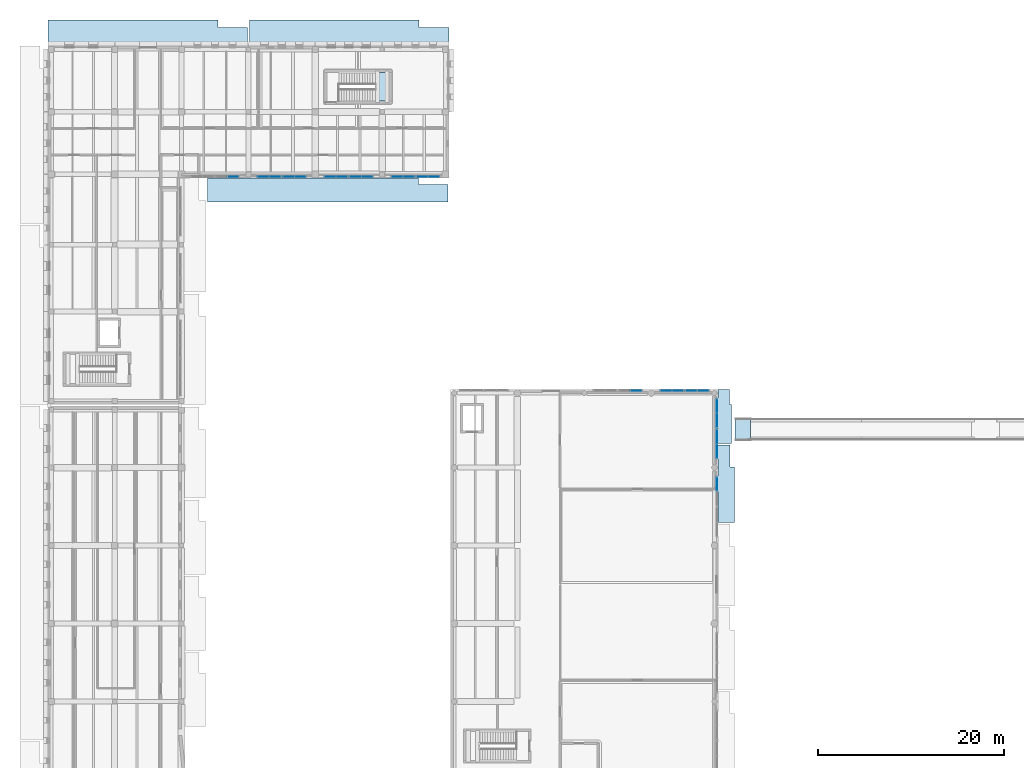
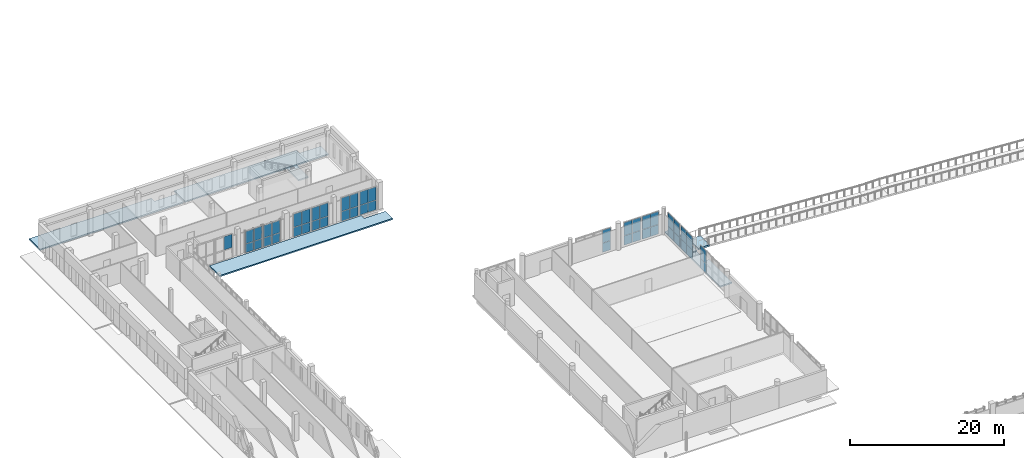
# One storey, part 43 of 77: 45 plates, 7 slabs, 14 elements without a shape of their own.
"""IFC4 building model written with IfcOpenShell, lengths in metres."""

from ifc_helpers import new_model, si_unit, direction, frame, origin, origin_2d, place, context, subcontext, project, spatial, polyline, rectangle, outline, extrude, material, layer, layer_set, type_object, element, aggregate, save


model = new_model("IFC4")

# Units and contexts
model_context = context("Model", 3, precision=1e-05, world=origin(), true_north=direction((0.0, 1.0)))
body_context = subcontext(model_context, "Body", "Model", "MODEL_VIEW")
ifc_project = project(units=[si_unit("LENGTHUNIT", "METRE"), si_unit("AREAUNIT", "SQUARE_METRE"), si_unit("VOLUMEUNIT", "CUBIC_METRE"), si_unit("PLANEANGLEUNIT", "RADIAN"), si_unit("MASSUNIT", "GRAM", prefix="KILO")], contexts=[model_context])

# Site, building, storey
site_placement = place(None, origin())
site = spatial("IfcSite", under=ifc_project, at=site_placement, CompositionType="ELEMENT")
building_placement = place(site_placement, origin())
building = spatial("IfcBuilding", under=site, at=building_placement, Name="Vardoun Plaza Health Centre", CompositionType="ELEMENT")
storey_placement = place(building_placement, origin())
storey = spatial("IfcBuildingStorey", under=building, at=storey_placement, Name="L00", CompositionType="ELEMENT", Elevation=0.0)

# Curtain wall, plates
ifc_material_1 = material(Name="Aluminium Alloy EN AW-6063-T6 and Low-E Glass", Category="aluminium")
ifc_layer_1 = layer(ifc_material_1, 0.159912109375)
ifc_layer_set_1 = layer_set([ifc_layer_1], Name="Aluminium Alloy EN AW-6063-T6 and Low-E Glass")
curtain_wall_type_1 = type_object("IfcCurtainWallType", Name="CW-02", PredefinedType="USERDEFINED", material=ifc_layer_set_1)
curtain_wall_1_placement = place(storey_placement, origin())
curtain_wall_1 = element("IfcCurtainWall", 1, at=curtain_wall_1_placement, inside=storey, type_object=curtain_wall_type_1, Name="Curtain Wall CW-V3-045", ObjectType="COURTYARD_CURTAIN_WALL", PredefinedType="USERDEFINED")
ifc_material_2 = material(Name="Solar-Control Double Low-E Glazing", Category="glass")
ifc_layer_2 = layer(ifc_material_2, 0.028076171875)
ifc_layer_set_2 = layer_set([ifc_layer_2], Name="Solar-Control Double Low-E Glazing")
plate_type_1 = type_object("IfcPlateType", Name="CW-P1", PredefinedType="CURTAIN_PANEL", material=ifc_layer_set_2)
plate_1_placement = place(storey_placement, frame((46.0849609375, 101.219970703125, 0.06005859375), z_axis=(0.0, 0.0, 1.0), x_axis=(-1.0, 0.0, 0.0)))
plate_1 = element("IfcPlate", 2, at=plate_1_placement, type_object=plate_type_1, Name="CW-V3-045 panel 1.1", PredefinedType="CURTAIN_PANEL", context=body_context, shape_type="SweptSolid", body=[
    extrude(rectangle(XDim=1.18994140625, YDim=0.028076171875, at=origin_2d()), origin(), (0.0, 0.0, 1.0), 1.493408203125),
])
plate_2_placement = place(storey_placement, frame((46.0849609375, 101.219970703125, 1.61328125), z_axis=(0.0, 0.0, 1.0), x_axis=(-1.0, 0.0, 0.0)))
plate_2 = element("IfcPlate", 3, at=plate_2_placement, type_object=plate_type_1, Name="CW-V3-045 panel 1.2", PredefinedType="CURTAIN_PANEL", context=body_context, shape_type="SweptSolid", body=[
    extrude(rectangle(XDim=1.18994140625, YDim=0.028076171875, at=origin_2d()), origin(), (0.0, 0.0, 1.0), 2.0966796875),
])
plate_3_placement = place(storey_placement, frame((44.8349609375, 101.219970703125, 0.06005859375), z_axis=(0.0, 0.0, 1.0), x_axis=(-1.0, 0.0, 0.0)))
plate_3 = element("IfcPlate", 4, at=plate_3_placement, type_object=plate_type_1, Name="CW-V3-045 panel 2.1", PredefinedType="CURTAIN_PANEL", context=body_context, shape_type="SweptSolid", body=[
    extrude(rectangle(XDim=1.18994140625, YDim=0.028076171875, at=origin_2d()), origin(), (0.0, 0.0, 1.0), 1.493408203125),
])
plate_4_placement = place(storey_placement, frame((44.8349609375, 101.219970703125, 1.61328125), z_axis=(0.0, 0.0, 1.0), x_axis=(-1.0, 0.0, 0.0)))
plate_4 = element("IfcPlate", 5, at=plate_4_placement, type_object=plate_type_1, Name="CW-V3-045 panel 2.2", PredefinedType="CURTAIN_PANEL", context=body_context, shape_type="SweptSolid", body=[
    extrude(rectangle(XDim=1.18994140625, YDim=0.028076171875, at=origin_2d()), origin(), (0.0, 0.0, 1.0), 2.0966796875),
])
aggregate(curtain_wall_1, [plate_1, plate_2, plate_3, plate_4])

curtain_wall_2_placement = place(storey_placement, origin())
curtain_wall_2 = element("IfcCurtainWall", 6, at=curtain_wall_2_placement, inside=storey, type_object=curtain_wall_type_1, Name="Curtain Wall CW-V3-046", ObjectType="COURTYARD_CURTAIN_WALL", PredefinedType="USERDEFINED")
plate_5_placement = place(storey_placement, frame((43.364990234375, 101.219970703125, 0.06005859375), z_axis=(0.0, 0.0, 1.0), x_axis=(-1.0, 0.0, 0.0)))
plate_5 = element("IfcPlate", 7, at=plate_5_placement, type_object=plate_type_1, Name="CW-V3-046 panel 1.1", PredefinedType="CURTAIN_PANEL", context=body_context, shape_type="SweptSolid", body=[
    extrude(rectangle(XDim=1.18994140625, YDim=0.028076171875, at=origin_2d()), origin(), (0.0, 0.0, 1.0), 1.493408203125),
])
plate_6_placement = place(storey_placement, frame((43.364990234375, 101.219970703125, 1.61328125), z_axis=(0.0, 0.0, 1.0), x_axis=(-1.0, 0.0, 0.0)))
plate_6 = element("IfcPlate", 8, at=plate_6_placement, type_object=plate_type_1, Name="CW-V3-046 panel 1.2", PredefinedType="CURTAIN_PANEL", context=body_context, shape_type="SweptSolid", body=[
    extrude(rectangle(XDim=1.18994140625, YDim=0.028076171875, at=origin_2d()), origin(), (0.0, 0.0, 1.0), 2.0966796875),
])
plate_7_placement = place(storey_placement, frame((42.114990234375, 101.219970703125, 0.06005859375), z_axis=(0.0, 0.0, 1.0), x_axis=(-1.0, 0.0, 0.0)))
plate_7 = element("IfcPlate", 9, at=plate_7_placement, type_object=plate_type_1, Name="CW-V3-046 panel 2.1", PredefinedType="CURTAIN_PANEL", context=body_context, shape_type="SweptSolid", body=[
    extrude(rectangle(XDim=1.18994140625, YDim=0.028076171875, at=origin_2d()), origin(), (0.0, 0.0, 1.0), 1.493408203125),
])
plate_8_placement = place(storey_placement, frame((42.114990234375, 101.219970703125, 1.61328125), z_axis=(0.0, 0.0, 1.0), x_axis=(-1.0, 0.0, 0.0)))
plate_8 = element("IfcPlate", 10, at=plate_8_placement, type_object=plate_type_1, Name="CW-V3-046 panel 2.2", PredefinedType="CURTAIN_PANEL", context=body_context, shape_type="SweptSolid", body=[
    extrude(rectangle(XDim=1.18994140625, YDim=0.028076171875, at=origin_2d()), origin(), (0.0, 0.0, 1.0), 2.0966796875),
])
aggregate(curtain_wall_2, [plate_5, plate_6, plate_7, plate_8])

curtain_wall_3_placement = place(storey_placement, origin())
curtain_wall_3 = element("IfcCurtainWall", 11, at=curtain_wall_3_placement, inside=storey, type_object=curtain_wall_type_1, Name="Curtain Wall CW-V3-047", ObjectType="COURTYARD_CURTAIN_WALL", PredefinedType="USERDEFINED")
plate_9_placement = place(storey_placement, frame((38.885009765625, 101.219970703125, 0.06005859375), z_axis=(0.0, 0.0, 1.0), x_axis=(-1.0, 0.0, 0.0)))
plate_9 = element("IfcPlate", 12, at=plate_9_placement, type_object=plate_type_1, Name="CW-V3-047 panel 1.1", PredefinedType="CURTAIN_PANEL", context=body_context, shape_type="SweptSolid", body=[
    extrude(rectangle(XDim=1.18994140625, YDim=0.028076171875, at=origin_2d()), origin(), (0.0, 0.0, 1.0), 1.480712890625),
])
plate_10_placement = place(storey_placement, frame((38.885009765625, 101.219970703125, 1.600830078125), z_axis=(0.0, 0.0, 1.0), x_axis=(-1.0, 0.0, 0.0)))
plate_10 = element("IfcPlate", 13, at=plate_10_placement, type_object=plate_type_1, Name="CW-V3-047 panel 1.2", PredefinedType="CURTAIN_PANEL", context=body_context, shape_type="SweptSolid", body=[
    extrude(rectangle(XDim=1.18994140625, YDim=0.028076171875, at=origin_2d()), origin(), (0.0, 0.0, 1.0), 2.0791015625),
])
plate_11_placement = place(storey_placement, frame((37.635009765625, 101.219970703125, 0.06005859375), z_axis=(0.0, 0.0, 1.0), x_axis=(-1.0, 0.0, 0.0)))
plate_11 = element("IfcPlate", 14, at=plate_11_placement, type_object=plate_type_1, Name="CW-V3-047 panel 2.1", PredefinedType="CURTAIN_PANEL", context=body_context, shape_type="SweptSolid", body=[
    extrude(rectangle(XDim=1.18994140625, YDim=0.028076171875, at=origin_2d()), origin(), (0.0, 0.0, 1.0), 1.480712890625),
])
plate_12_placement = place(storey_placement, frame((37.635009765625, 101.219970703125, 1.600830078125), z_axis=(0.0, 0.0, 1.0), x_axis=(-1.0, 0.0, 0.0)))
plate_12 = element("IfcPlate", 15, at=plate_12_placement, type_object=plate_type_1, Name="CW-V3-047 panel 2.2", PredefinedType="CURTAIN_PANEL", context=body_context, shape_type="SweptSolid", body=[
    extrude(rectangle(XDim=1.18994140625, YDim=0.028076171875, at=origin_2d()), origin(), (0.0, 0.0, 1.0), 2.0791015625),
])
aggregate(curtain_wall_3, [plate_9, plate_10, plate_11, plate_12])

curtain_wall_4_placement = place(storey_placement, origin())
curtain_wall_4 = element("IfcCurtainWall", 16, at=curtain_wall_4_placement, inside=storey, type_object=curtain_wall_type_1, Name="Curtain Wall CW-V3-048", ObjectType="COURTYARD_CURTAIN_WALL", PredefinedType="USERDEFINED")
plate_13_placement = place(storey_placement, frame((36.1650390625, 101.219970703125, 0.06005859375), z_axis=(0.0, 0.0, 1.0), x_axis=(-1.0, 0.0, 0.0)))
plate_13 = element("IfcPlate", 17, at=plate_13_placement, type_object=plate_type_1, Name="CW-V3-048 panel 1.1", PredefinedType="CURTAIN_PANEL", context=body_context, shape_type="SweptSolid", body=[
    extrude(rectangle(XDim=1.18994140625, YDim=0.028076171875, at=origin_2d()), origin(), (0.0, 0.0, 1.0), 1.480712890625),
])
plate_14_placement = place(storey_placement, frame((36.1650390625, 101.219970703125, 1.600830078125), z_axis=(0.0, 0.0, 1.0), x_axis=(-1.0, 0.0, 0.0)))
plate_14 = element("IfcPlate", 18, at=plate_14_placement, type_object=plate_type_1, Name="CW-V3-048 panel 1.2", PredefinedType="CURTAIN_PANEL", context=body_context, shape_type="SweptSolid", body=[
    extrude(rectangle(XDim=1.18994140625, YDim=0.028076171875, at=origin_2d()), origin(), (0.0, 0.0, 1.0), 2.0791015625),
])
plate_15_placement = place(storey_placement, frame((34.9150390625, 101.219970703125, 0.06005859375), z_axis=(0.0, 0.0, 1.0), x_axis=(-1.0, 0.0, 0.0)))
plate_15 = element("IfcPlate", 19, at=plate_15_placement, type_object=plate_type_1, Name="CW-V3-048 panel 2.1", PredefinedType="CURTAIN_PANEL", context=body_context, shape_type="SweptSolid", body=[
    extrude(rectangle(XDim=1.18994140625, YDim=0.028076171875, at=origin_2d()), origin(), (0.0, 0.0, 1.0), 1.480712890625),
])
plate_16_placement = place(storey_placement, frame((34.9150390625, 101.219970703125, 1.600830078125), z_axis=(0.0, 0.0, 1.0), x_axis=(-1.0, 0.0, 0.0)))
plate_16 = element("IfcPlate", 20, at=plate_16_placement, type_object=plate_type_1, Name="CW-V3-048 panel 2.2", PredefinedType="CURTAIN_PANEL", context=body_context, shape_type="SweptSolid", body=[
    extrude(rectangle(XDim=1.18994140625, YDim=0.028076171875, at=origin_2d()), origin(), (0.0, 0.0, 1.0), 2.0791015625),
])
aggregate(curtain_wall_4, [plate_13, plate_14, plate_15, plate_16])

curtain_wall_5_placement = place(storey_placement, origin())
curtain_wall_5 = element("IfcCurtainWall", 21, at=curtain_wall_5_placement, inside=storey, type_object=curtain_wall_type_1, Name="Curtain Wall CW-V3-049", ObjectType="COURTYARD_CURTAIN_WALL", PredefinedType="USERDEFINED")
plate_17_placement = place(storey_placement, frame((31.68505859375, 101.219970703125, 0.06005859375), z_axis=(0.0, 0.0, 1.0), x_axis=(-1.0, 0.0, 0.0)))
plate_17 = element("IfcPlate", 22, at=plate_17_placement, type_object=plate_type_1, Name="CW-V3-049 panel 1.1", PredefinedType="CURTAIN_PANEL", context=body_context, shape_type="SweptSolid", body=[
    extrude(rectangle(XDim=1.18994140625, YDim=0.028076171875, at=origin_2d()), origin(), (0.0, 0.0, 1.0), 1.3798828125),
])
plate_18_placement = place(storey_placement, frame((31.68505859375, 101.219970703125, 1.5), z_axis=(0.0, 0.0, 1.0), x_axis=(-1.0, 0.0, 0.0)))
plate_18 = element("IfcPlate", 23, at=plate_18_placement, type_object=plate_type_1, Name="CW-V3-049 panel 1.2", PredefinedType="CURTAIN_PANEL", context=body_context, shape_type="SweptSolid", body=[
    extrude(rectangle(XDim=1.18994140625, YDim=0.028076171875, at=origin_2d()), origin(), (0.0, 0.0, 1.0), 1.93994140625),
])
plate_19_placement = place(storey_placement, frame((30.43505859375, 101.219970703125, 0.06005859375), z_axis=(0.0, 0.0, 1.0), x_axis=(-1.0, 0.0, 0.0)))
plate_19 = element("IfcPlate", 24, at=plate_19_placement, type_object=plate_type_1, Name="CW-V3-049 panel 2.1", PredefinedType="CURTAIN_PANEL", context=body_context, shape_type="SweptSolid", body=[
    extrude(rectangle(XDim=1.18994140625, YDim=0.028076171875, at=origin_2d()), origin(), (0.0, 0.0, 1.0), 1.3798828125),
])
plate_20_placement = place(storey_placement, frame((30.43505859375, 101.219970703125, 1.5), z_axis=(0.0, 0.0, 1.0), x_axis=(-1.0, 0.0, 0.0)))
plate_20 = element("IfcPlate", 25, at=plate_20_placement, type_object=plate_type_1, Name="CW-V3-049 panel 2.2", PredefinedType="CURTAIN_PANEL", context=body_context, shape_type="SweptSolid", body=[
    extrude(rectangle(XDim=1.18994140625, YDim=0.028076171875, at=origin_2d()), origin(), (0.0, 0.0, 1.0), 1.93994140625),
])
aggregate(curtain_wall_5, [plate_17, plate_18, plate_19, plate_20])

curtain_wall_6_placement = place(storey_placement, origin())
curtain_wall_6 = element("IfcCurtainWall", 26, at=curtain_wall_6_placement, inside=storey, type_object=curtain_wall_type_1, Name="Curtain Wall CW-V3-050", ObjectType="COURTYARD_CURTAIN_WALL", PredefinedType="USERDEFINED")
plate_21_placement = place(storey_placement, frame((28.965087890625, 101.219970703125, 0.06005859375), z_axis=(0.0, 0.0, 1.0), x_axis=(-1.0, 0.0, 0.0)))
plate_21 = element("IfcPlate", 27, at=plate_21_placement, type_object=plate_type_1, Name="CW-V3-050 panel 1.1", PredefinedType="CURTAIN_PANEL", context=body_context, shape_type="SweptSolid", body=[
    extrude(rectangle(XDim=1.18994140625, YDim=0.028076171875, at=origin_2d()), origin(), (0.0, 0.0, 1.0), 1.3798828125),
])
plate_22_placement = place(storey_placement, frame((28.965087890625, 101.219970703125, 1.5), z_axis=(0.0, 0.0, 1.0), x_axis=(-1.0, 0.0, 0.0)))
plate_22 = element("IfcPlate", 28, at=plate_22_placement, type_object=plate_type_1, Name="CW-V3-050 panel 1.2", PredefinedType="CURTAIN_PANEL", context=body_context, shape_type="SweptSolid", body=[
    extrude(rectangle(XDim=1.18994140625, YDim=0.028076171875, at=origin_2d()), origin(), (0.0, 0.0, 1.0), 1.93994140625),
])
plate_23_placement = place(storey_placement, frame((27.715087890625, 101.219970703125, 0.06005859375), z_axis=(0.0, 0.0, 1.0), x_axis=(-1.0, 0.0, 0.0)))
plate_23 = element("IfcPlate", 29, at=plate_23_placement, type_object=plate_type_1, Name="CW-V3-050 panel 2.1", PredefinedType="CURTAIN_PANEL", context=body_context, shape_type="SweptSolid", body=[
    extrude(rectangle(XDim=1.18994140625, YDim=0.028076171875, at=origin_2d()), origin(), (0.0, 0.0, 1.0), 1.3798828125),
])
plate_24_placement = place(storey_placement, frame((27.715087890625, 101.219970703125, 1.5), z_axis=(0.0, 0.0, 1.0), x_axis=(-1.0, 0.0, 0.0)))
plate_24 = element("IfcPlate", 30, at=plate_24_placement, type_object=plate_type_1, Name="CW-V3-050 panel 2.2", PredefinedType="CURTAIN_PANEL", context=body_context, shape_type="SweptSolid", body=[
    extrude(rectangle(XDim=1.18994140625, YDim=0.028076171875, at=origin_2d()), origin(), (0.0, 0.0, 1.0), 1.93994140625),
])
aggregate(curtain_wall_6, [plate_21, plate_22, plate_23, plate_24])

# Curtain wall, plate
curtain_wall_7_placement = place(storey_placement, origin())
curtain_wall_7 = element("IfcCurtainWall", 31, at=curtain_wall_7_placement, inside=storey, type_object=curtain_wall_type_1, Name="Curtain Wall CW-V3-051", ObjectType="COURTYARD_CURTAIN_WALL", PredefinedType="USERDEFINED")
plate_25_placement = place(storey_placement, frame((24.485107421875, 101.219970703125, 1.634521484375), z_axis=(0.0, 0.0, 1.0), x_axis=(-1.0, 0.0, 0.0)))
plate_25 = element("IfcPlate", 32, at=plate_25_placement, type_object=plate_type_1, Name="CW-V3-051 panel 1.2", PredefinedType="CURTAIN_PANEL", context=body_context, shape_type="SweptSolid", body=[
    extrude(rectangle(XDim=1.18994140625, YDim=0.028076171875, at=origin_2d()), origin(), (0.0, 0.0, 1.0), 2.12548828125),
])
aggregate(curtain_wall_7, [plate_25])

# Curtain wall, plates
ifc_material_3 = material(Name="Aluminium Alloy EN AW-6063-T6 and Low-E Glass", Category="aluminium")
ifc_layer_3 = layer(ifc_material_3, 0.179931640625)
ifc_layer_set_3 = layer_set([ifc_layer_3], Name="Aluminium Alloy EN AW-6063-T6 and Low-E Glass")
curtain_wall_type_2 = type_object("IfcCurtainWallType", Name="CW-01", PredefinedType="USERDEFINED", material=ifc_layer_set_3)
curtain_wall_8_placement = place(storey_placement, origin())
curtain_wall_8 = element("IfcCurtainWall", 33, at=curtain_wall_8_placement, inside=storey, type_object=curtain_wall_type_2, Name="Curtain Wall CW-V1-004", ObjectType="CONCOURSE_CURTAIN_WALL", PredefinedType="USERDEFINED")
ifc_material_4 = material(Name="Acoustic Laminated Double Low-E Glazing", Category="glass")
ifc_layer_4 = layer(ifc_material_4, 0.031982421875)
ifc_layer_set_4 = layer_set([ifc_layer_4], Name="Acoustic Laminated Double Low-E Glazing")
plate_type_2 = type_object("IfcPlateType", Name="CW-P2", PredefinedType="CURTAIN_PANEL", material=ifc_layer_set_4)
plate_26_placement = place(storey_placement, frame((67.86376953125, 78.179931640625, 0.06494140625), z_axis=(0.0, 0.0, 1.0), x_axis=(1.0, 0.0, 0.0)))
plate_26 = element("IfcPlate", 34, at=plate_26_placement, type_object=plate_type_2, Name="CW-V1-004 panel 2.1", PredefinedType="CURTAIN_PANEL", context=body_context, shape_type="SweptSolid", body=[
    extrude(rectangle(XDim=1.1826171875, YDim=0.031982421875, at=origin_2d()), origin(), (0.0, 0.0, 1.0), 1.425048828125),
])
plate_27_placement = place(storey_placement, frame((67.86376953125, 78.179931640625, 1.55517578125), z_axis=(0.0, 0.0, 1.0), x_axis=(1.0, 0.0, 0.0)))
plate_27 = element("IfcPlate", 35, at=plate_27_placement, type_object=plate_type_2, Name="CW-V1-004 panel 2.2", PredefinedType="CURTAIN_PANEL", context=body_context, shape_type="SweptSolid", body=[
    extrude(rectangle(XDim=1.1826171875, YDim=0.031982421875, at=origin_2d()), origin(), (0.0, 0.0, 1.0), 2.0048828125),
])
aggregate(curtain_wall_8, [plate_26, plate_27])

curtain_wall_9_placement = place(storey_placement, origin())
curtain_wall_9 = element("IfcCurtainWall", 36, at=curtain_wall_9_placement, inside=storey, type_object=curtain_wall_type_2, Name="Curtain Wall CW-V1-005", ObjectType="CONCOURSE_CURTAIN_WALL", PredefinedType="USERDEFINED")
plate_28_placement = place(storey_placement, frame((71.09619140625, 78.179931640625, 0.06494140625), z_axis=(0.0, 0.0, 1.0), x_axis=(1.0, 0.0, 0.0)))
plate_28 = element("IfcPlate", 37, at=plate_28_placement, type_object=plate_type_2, Name="CW-V1-005 panel 1.1", PredefinedType="CURTAIN_PANEL", context=body_context, shape_type="SweptSolid", body=[
    extrude(rectangle(XDim=1.1826171875, YDim=0.031982421875, at=origin_2d()), origin(), (0.0, 0.0, 1.0), 1.45849609375),
])
plate_29_placement = place(storey_placement, frame((71.09619140625, 78.179931640625, 1.58837890625), z_axis=(0.0, 0.0, 1.0), x_axis=(1.0, 0.0, 0.0)))
plate_29 = element("IfcPlate", 38, at=plate_29_placement, type_object=plate_type_2, Name="CW-V1-005 panel 1.2", PredefinedType="CURTAIN_PANEL", context=body_context, shape_type="SweptSolid", body=[
    extrude(rectangle(XDim=1.1826171875, YDim=0.031982421875, at=origin_2d()), origin(), (0.0, 0.0, 1.0), 2.051513671875),
])
plate_30_placement = place(storey_placement, frame((72.34375, 78.179931640625, 0.06494140625), z_axis=(0.0, 0.0, 1.0), x_axis=(1.0, 0.0, 0.0)))
plate_30 = element("IfcPlate", 39, at=plate_30_placement, type_object=plate_type_2, Name="CW-V1-005 panel 2.1", PredefinedType="CURTAIN_PANEL", context=body_context, shape_type="SweptSolid", body=[
    extrude(rectangle(XDim=1.1826171875, YDim=0.031982421875, at=origin_2d()), origin(), (0.0, 0.0, 1.0), 1.45849609375),
])
plate_31_placement = place(storey_placement, frame((72.34375, 78.179931640625, 1.58837890625), z_axis=(0.0, 0.0, 1.0), x_axis=(1.0, 0.0, 0.0)))
plate_31 = element("IfcPlate", 40, at=plate_31_placement, type_object=plate_type_2, Name="CW-V1-005 panel 2.2", PredefinedType="CURTAIN_PANEL", context=body_context, shape_type="SweptSolid", body=[
    extrude(rectangle(XDim=1.1826171875, YDim=0.031982421875, at=origin_2d()), origin(), (0.0, 0.0, 1.0), 2.051513671875),
])
aggregate(curtain_wall_9, [plate_28, plate_29, plate_30, plate_31])

curtain_wall_10_placement = place(storey_placement, origin())
curtain_wall_10 = element("IfcCurtainWall", 41, at=curtain_wall_10_placement, inside=storey, type_object=curtain_wall_type_2, Name="Curtain Wall CW-V1-006", ObjectType="CONCOURSE_CURTAIN_WALL", PredefinedType="USERDEFINED")
plate_32_placement = place(storey_placement, frame((73.816162109375, 78.179931640625, 0.06494140625), z_axis=(0.0, 0.0, 1.0), x_axis=(1.0, 0.0, 0.0)))
plate_32 = element("IfcPlate", 42, at=plate_32_placement, type_object=plate_type_2, Name="CW-V1-006 panel 1.1", PredefinedType="CURTAIN_PANEL", context=body_context, shape_type="SweptSolid", body=[
    extrude(rectangle(XDim=1.1826171875, YDim=0.031982421875, at=origin_2d()), origin(), (0.0, 0.0, 1.0), 1.45849609375),
])
plate_33_placement = place(storey_placement, frame((73.816162109375, 78.179931640625, 1.58837890625), z_axis=(0.0, 0.0, 1.0), x_axis=(1.0, 0.0, 0.0)))
plate_33 = element("IfcPlate", 43, at=plate_33_placement, type_object=plate_type_2, Name="CW-V1-006 panel 1.2", PredefinedType="CURTAIN_PANEL", context=body_context, shape_type="SweptSolid", body=[
    extrude(rectangle(XDim=1.1826171875, YDim=0.031982421875, at=origin_2d()), origin(), (0.0, 0.0, 1.0), 2.051513671875),
])
plate_34_placement = place(storey_placement, frame((75.063720703125, 78.179931640625, 0.06494140625), z_axis=(0.0, 0.0, 1.0), x_axis=(1.0, 0.0, 0.0)))
plate_34 = element("IfcPlate", 44, at=plate_34_placement, type_object=plate_type_2, Name="CW-V1-006 panel 2.1", PredefinedType="CURTAIN_PANEL", context=body_context, shape_type="SweptSolid", body=[
    extrude(rectangle(XDim=1.1826171875, YDim=0.031982421875, at=origin_2d()), origin(), (0.0, 0.0, 1.0), 1.45849609375),
])
plate_35_placement = place(storey_placement, frame((75.063720703125, 78.179931640625, 1.58837890625), z_axis=(0.0, 0.0, 1.0), x_axis=(1.0, 0.0, 0.0)))
plate_35 = element("IfcPlate", 45, at=plate_35_placement, type_object=plate_type_2, Name="CW-V1-006 panel 2.2", PredefinedType="CURTAIN_PANEL", context=body_context, shape_type="SweptSolid", body=[
    extrude(rectangle(XDim=1.1826171875, YDim=0.031982421875, at=origin_2d()), origin(), (0.0, 0.0, 1.0), 2.051513671875),
])
aggregate(curtain_wall_10, [plate_32, plate_33, plate_34, plate_35])

curtain_wall_11_placement = place(storey_placement, origin())
curtain_wall_11 = element("IfcCurtainWall", 46, at=curtain_wall_11_placement, inside=storey, type_object=curtain_wall_type_2, Name="Curtain Wall CW-V1-007", ObjectType="CONCOURSE_CURTAIN_WALL", PredefinedType="USERDEFINED")
plate_36_placement = place(storey_placement, frame((76.56005859375, 76.53369140625, 0.06494140625), z_axis=(0.0, 0.0, 1.0), x_axis=(0.0, -1.0, 0.0)))
plate_36 = element("IfcPlate", 47, at=plate_36_placement, type_object=plate_type_2, Name="CW-V1-007 panel 1.1", PredefinedType="CURTAIN_PANEL", context=body_context, shape_type="SweptSolid", body=[
    extrude(rectangle(XDim=1.482421875, YDim=0.031982421875, at=origin_2d()), origin(), (0.0, 0.0, 1.0), 1.45849609375),
])
plate_37_placement = place(storey_placement, frame((76.56005859375, 76.53369140625, 1.58837890625), z_axis=(0.0, 0.0, 1.0), x_axis=(0.0, -1.0, 0.0)))
plate_37 = element("IfcPlate", 48, at=plate_37_placement, type_object=plate_type_2, Name="CW-V1-007 panel 1.2", PredefinedType="CURTAIN_PANEL", context=body_context, shape_type="SweptSolid", body=[
    extrude(rectangle(XDim=1.482421875, YDim=0.031982421875, at=origin_2d()), origin(), (0.0, 0.0, 1.0), 2.051513671875),
])
plate_38_placement = place(storey_placement, frame((76.56005859375, 74.986328125, 0.06494140625), z_axis=(0.0, 0.0, 1.0), x_axis=(0.0, -1.0, 0.0)))
plate_38 = element("IfcPlate", 49, at=plate_38_placement, type_object=plate_type_2, Name="CW-V1-007 panel 2.1", PredefinedType="CURTAIN_PANEL", context=body_context, shape_type="SweptSolid", body=[
    extrude(rectangle(XDim=1.482421875, YDim=0.031982421875, at=origin_2d()), origin(), (0.0, 0.0, 1.0), 1.45849609375),
])
plate_39_placement = place(storey_placement, frame((76.56005859375, 74.986328125, 1.58837890625), z_axis=(0.0, 0.0, 1.0), x_axis=(0.0, -1.0, 0.0)))
plate_39 = element("IfcPlate", 50, at=plate_39_placement, type_object=plate_type_2, Name="CW-V1-007 panel 2.2", PredefinedType="CURTAIN_PANEL", context=body_context, shape_type="SweptSolid", body=[
    extrude(rectangle(XDim=1.482421875, YDim=0.031982421875, at=origin_2d()), origin(), (0.0, 0.0, 1.0), 2.051513671875),
])
aggregate(curtain_wall_11, [plate_36, plate_37, plate_38, plate_39])

curtain_wall_12_placement = place(storey_placement, origin())
curtain_wall_12 = element("IfcCurtainWall", 51, at=curtain_wall_12_placement, inside=storey, type_object=curtain_wall_type_2, Name="Curtain Wall CW-V1-008", ObjectType="CONCOURSE_CURTAIN_WALL", PredefinedType="USERDEFINED")
plate_40_placement = place(storey_placement, frame((76.56005859375, 73.2138671875, 0.06494140625), z_axis=(0.0, 0.0, 1.0), x_axis=(0.0, -1.0, 0.0)))
plate_40 = element("IfcPlate", 52, at=plate_40_placement, type_object=plate_type_2, Name="CW-V1-008 panel 1.1", PredefinedType="CURTAIN_PANEL", context=body_context, shape_type="SweptSolid", body=[
    extrude(rectangle(XDim=1.482421875, YDim=0.031982421875, at=origin_2d()), origin(), (0.0, 0.0, 1.0), 1.45849609375),
])
plate_41_placement = place(storey_placement, frame((76.56005859375, 73.2138671875, 1.58837890625), z_axis=(0.0, 0.0, 1.0), x_axis=(0.0, -1.0, 0.0)))
plate_41 = element("IfcPlate", 53, at=plate_41_placement, type_object=plate_type_2, Name="CW-V1-008 panel 1.2", PredefinedType="CURTAIN_PANEL", context=body_context, shape_type="SweptSolid", body=[
    extrude(rectangle(XDim=1.482421875, YDim=0.031982421875, at=origin_2d()), origin(), (0.0, 0.0, 1.0), 2.051513671875),
])
plate_42_placement = place(storey_placement, frame((76.56005859375, 71.666259765625, 0.06494140625), z_axis=(0.0, 0.0, 1.0), x_axis=(0.0, -1.0, 0.0)))
plate_42 = element("IfcPlate", 54, at=plate_42_placement, type_object=plate_type_2, Name="CW-V1-008 panel 2.1", PredefinedType="CURTAIN_PANEL", context=body_context, shape_type="SweptSolid", body=[
    extrude(rectangle(XDim=1.482421875, YDim=0.031982421875, at=origin_2d()), origin(), (0.0, 0.0, 1.0), 1.45849609375),
])
plate_43_placement = place(storey_placement, frame((76.56005859375, 71.666259765625, 1.58837890625), z_axis=(0.0, 0.0, 1.0), x_axis=(0.0, -1.0, 0.0)))
plate_43 = element("IfcPlate", 55, at=plate_43_placement, type_object=plate_type_2, Name="CW-V1-008 panel 2.2", PredefinedType="CURTAIN_PANEL", context=body_context, shape_type="SweptSolid", body=[
    extrude(rectangle(XDim=1.482421875, YDim=0.031982421875, at=origin_2d()), origin(), (0.0, 0.0, 1.0), 2.051513671875),
])
aggregate(curtain_wall_12, [plate_40, plate_41, plate_42, plate_43])

curtain_wall_13_placement = place(storey_placement, origin())
curtain_wall_13 = element("IfcCurtainWall", 56, at=curtain_wall_13_placement, inside=storey, type_object=curtain_wall_type_2, Name="Curtain Wall CW-V1-009", ObjectType="CONCOURSE_CURTAIN_WALL", PredefinedType="USERDEFINED")
plate_44_placement = place(storey_placement, frame((76.56005859375, 68.1337890625, 0.06494140625), z_axis=(0.0, 0.0, 1.0), x_axis=(0.0, -1.0, 0.0)))
plate_44 = element("IfcPlate", 57, at=plate_44_placement, type_object=plate_type_2, Name="CW-V1-009 panel 1.1", PredefinedType="CURTAIN_PANEL", context=body_context, shape_type="SweptSolid", body=[
    extrude(rectangle(XDim=1.482421875, YDim=0.031982421875, at=origin_2d()), origin(), (0.0, 0.0, 1.0), 1.4375),
])
plate_45_placement = place(storey_placement, frame((76.56005859375, 68.1337890625, 1.567626953125), z_axis=(0.0, 0.0, 1.0), x_axis=(0.0, -1.0, 0.0)))
plate_45 = element("IfcPlate", 58, at=plate_45_placement, type_object=plate_type_2, Name="CW-V1-009 panel 1.2", PredefinedType="CURTAIN_PANEL", context=body_context, shape_type="SweptSolid", body=[
    extrude(rectangle(XDim=1.482421875, YDim=0.031982421875, at=origin_2d()), origin(), (0.0, 0.0, 1.0), 2.0224609375),
])
aggregate(curtain_wall_13, [plate_44, plate_45])

# Stair, slab
ifc_material_5 = material(Name="Concrete C35/45", Category="concrete")
stair_type = type_object("IfcStairType", Name="ST-01", PredefinedType="HALF_TURN_STAIR", material=ifc_material_5)
stair_placement = place(storey_placement, origin())
stair = element("IfcStair", 59, at=stair_placement, inside=storey, type_object=stair_type, Name="Core C4 L00 Exit Stair ST-C4-L00", PredefinedType="HALF_TURN_STAIR")
ifc_material_6 = material(Name="Concrete C35/45", Category="concrete")
ifc_layer_5 = layer(ifc_material_6, 0.199951171875)
ifc_layer_set_5 = layer_set([ifc_layer_5], Name="Concrete C35/45")
slab_type_1 = type_object("IfcSlabType", Name="SL-LD", PredefinedType="LANDING", material=ifc_layer_set_5)
slab_1_placement = place(storey_placement, frame((0.0, 0.0, 2.050048828125)))
slab_1 = element("IfcSlab", 60, at=slab_1_placement, type_object=slab_type_1, Name="ST-C4-L00 landing 1", PredefinedType="LANDING", context=body_context, shape_type="SweptSolid", body=[
    extrude(outline(polyline([(39.769287109375, 109.35009765625), (41.25, 109.35009765625), (41.25, 112.449951171875), (39.769287109375, 112.449951171875), (39.769287109375, 109.35009765625)])), origin(), (0.0, 0.0, 1.0), 0.199951171875),
])
aggregate(stair, [slab_1])

# Slabs
ifc_material_7 = material(Name="Concrete C35/45", Category="concrete")
ifc_layer_6 = layer(ifc_material_7, 0.25)
ifc_layer_set_6 = layer_set([ifc_layer_6], Name="Concrete C35/45")
slab_type_2 = type_object("IfcSlabType", Name="SL-01", PredefinedType="FLOOR", material=ifc_layer_set_6)
slab_2_placement = place(storey_placement, frame((0.0, 0.0, -0.25)))
element("IfcSlab", 61, at=slab_2_placement, inside=storey, type_object=slab_type_2, Name="Forecourt Ramp Landing 1", PredefinedType="FLOOR", context=body_context, shape_type="SweptSolid", body=[
    extrude(outline(polyline([(78.5, 72.800048828125), (80.199951171875, 72.800048828125), (80.199951171875, 75.199951171875), (78.5, 75.199951171875), (78.5, 72.800048828125)])), origin(), (0.0, 0.0, 1.0), 0.25),
])
ifc_material_8 = material(Name="Pale Limestone Concrete C35/45", Category="masonry")
ifc_layer_7 = layer(ifc_material_8, 0.169921875)
ifc_layer_set_7 = layer_set([ifc_layer_7], Name="Pale Limestone Concrete C35/45")
slab_type_3 = type_object("IfcSlabType", Name="SL-T2", PredefinedType="USERDEFINED", material=ifc_layer_set_7)
slab_3_placement = place(storey_placement, frame((0.0, 0.0, -0.199951171875)))
element("IfcSlab", 62, at=slab_3_placement, inside=storey, type_object=slab_type_3, Name="Ground Plaza Paving Apron PZ-N1", ObjectType="PAVING", PredefinedType="USERDEFINED", context=body_context, shape_type="SweptSolid", body=[
    extrude(outline(polyline([(4.5, 115.300048828125), (26.0, 115.300048828125), (26.0, 117.31591796875), (22.800048828125, 117.31591796875), (22.800048828125, 118.10009765625), (4.5, 118.10009765625), (4.5, 115.300048828125)])), origin(), (0.0, 0.0, 1.0), 0.199951171875),
])
slab_4_placement = place(storey_placement, frame((0.0, 0.0, -0.199951171875)))
element("IfcSlab", 63, at=slab_4_placement, inside=storey, type_object=slab_type_3, Name="Ground Plaza Paving Apron PZ-N2", ObjectType="PAVING", PredefinedType="USERDEFINED", context=body_context, shape_type="SweptSolid", body=[
    extrude(outline(polyline([(26.199951171875, 115.300048828125), (47.699951171875, 115.300048828125), (47.699951171875, 117.31591796875), (44.5, 117.31591796875), (44.5, 118.10009765625), (26.199951171875, 118.10009765625), (26.199951171875, 115.300048828125)])), origin(), (0.0, 0.0, 1.0), 0.199951171875),
])
slab_5_placement = place(storey_placement, frame((0.0, 0.0, -0.199951171875)))
element("IfcSlab", 64, at=slab_5_placement, inside=storey, type_object=slab_type_3, Name="Ground Plaza Paving Apron PZ-C17", ObjectType="PAVING", PredefinedType="USERDEFINED", context=body_context, shape_type="SweptSolid", body=[
    extrude(outline(polyline([(21.699951171875, 98.5), (47.60009765625, 98.5), (47.60009765625, 100.3720703125), (44.39990234375, 100.3720703125), (44.39990234375, 101.10009765625), (21.699951171875, 101.10009765625), (21.699951171875, 98.5)])), origin(), (0.0, 0.0, 1.0), 0.199951171875),
])
slab_6_placement = place(storey_placement, frame((0.0, 0.0, -0.199951171875)))
element("IfcSlab", 65, at=slab_6_placement, inside=storey, type_object=slab_type_3, Name="Ground Plaza Paving Apron PZ-C18", ObjectType="PAVING", PredefinedType="USERDEFINED", context=body_context, shape_type="SweptSolid", body=[
    extrude(outline(polyline([(76.679931640625, 72.5), (78.14990234375, 72.5), (78.14990234375, 76.676025390625), (77.91845703125, 76.676025390625), (77.91845703125, 78.300048828125), (76.679931640625, 78.300048828125), (76.679931640625, 72.5)])), origin(), (0.0, 0.0, 1.0), 0.199951171875),
])
slab_7_placement = place(storey_placement, frame((0.0, 0.0, -0.199951171875)))
element("IfcSlab", 66, at=slab_7_placement, inside=storey, type_object=slab_type_3, Name="Ground Plaza Paving Apron PZ-C19", ObjectType="PAVING", PredefinedType="USERDEFINED", context=body_context, shape_type="SweptSolid", body=[
    extrude(outline(polyline([(76.679931640625, 64.0), (78.47998046875, 64.0), (78.47998046875, 69.97607421875), (77.97607421875, 69.97607421875), (77.97607421875, 72.300048828125), (76.679931640625, 72.300048828125), (76.679931640625, 64.0)])), origin(), (0.0, 0.0, 1.0), 0.199951171875),
])

save(model, "model.ifc")
